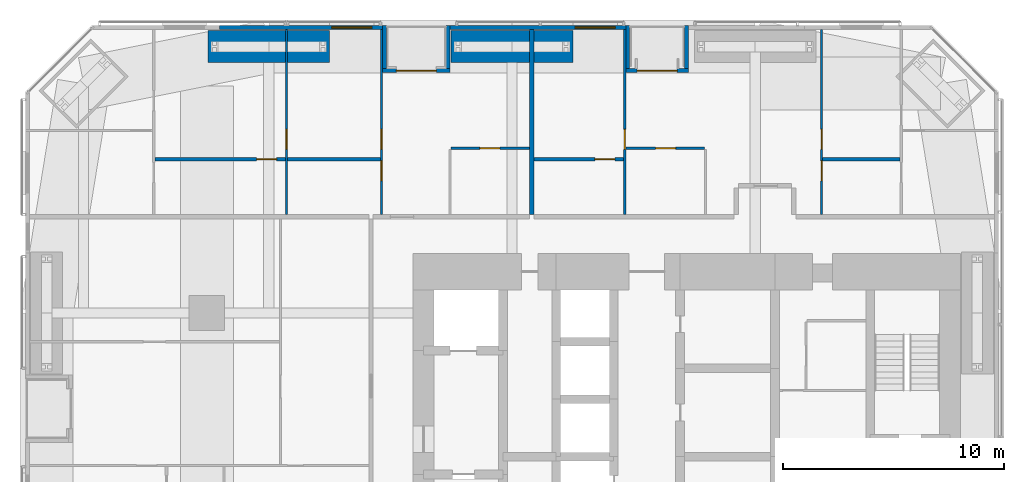
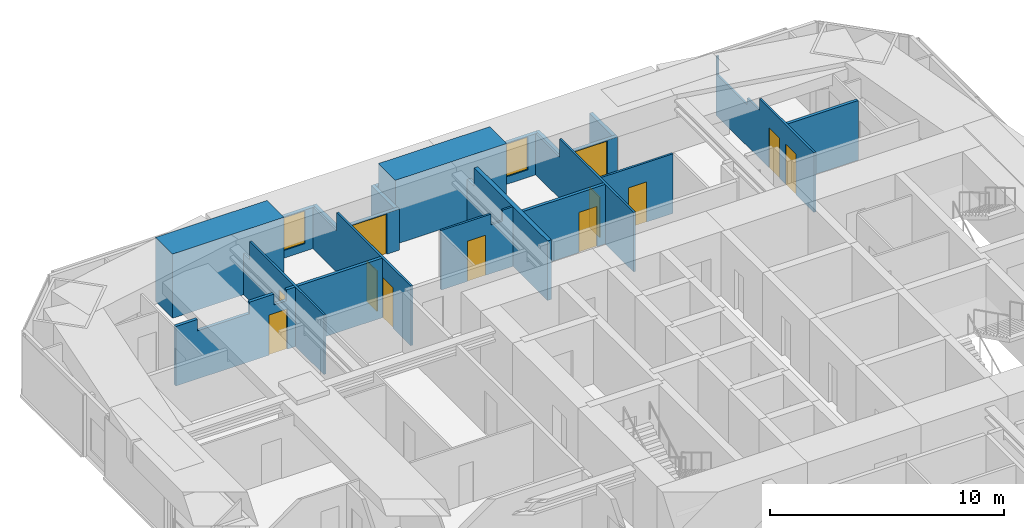
# One storey, part 20 of 22: 21 walls, 12 doors, 2 windows, 14 openings.
"""IFC4 building model written with IfcOpenShell, lengths in metres."""

from ifc_helpers import new_model, si_unit, direction, frame, frame_2d, origin, place, context, subcontext, project, spatial, polyline, rectangle, outline, extrude, material, layer, layer_set, constituent, constituent_set, type_object, element, fill, save


model = new_model("IFC4")

# Units and contexts
model_context = context("Model", 3, precision=1e-05, world=origin(), true_north=direction((0.0, 1.0)))
body_context = subcontext(model_context, "Body", "Model", "MODEL_VIEW")
ifc_project = project(units=[si_unit("LENGTHUNIT", "METRE"), si_unit("AREAUNIT", "SQUARE_METRE"), si_unit("VOLUMEUNIT", "CUBIC_METRE"), si_unit("PLANEANGLEUNIT", "RADIAN"), si_unit("MASSUNIT", "GRAM", prefix="KILO")], contexts=[model_context])

# Site, building, storey
site_placement = place(None, origin())
site = spatial("IfcSite", under=ifc_project, at=site_placement, CompositionType="ELEMENT")
building_placement = place(site_placement, origin())
building = spatial("IfcBuilding", under=site, at=building_placement, Name="Jalousie Tower", CompositionType="ELEMENT")
storey_placement = place(building_placement, frame((0.0, 0.0, 67.89990234375)))
storey = spatial("IfcBuildingStorey", under=building, at=storey_placement, Name="L18", CompositionType="ELEMENT", Elevation=67.89990234375)

# Wall, opening, door
ifc_material_1 = material(Name="Concrete block ASTM C90", Category="concrete")
ifc_constituent_1 = constituent(ifc_material_1, Name="Body")
ifc_material_2 = material(Name="Render")
ifc_constituent_2 = constituent(ifc_material_2, Name="Finish")
ifc_constituent_set_1 = constituent_set(constituents=[ifc_constituent_1, ifc_constituent_2])
wall_type_1 = type_object("IfcWallType", Name="BATHROOM WALL 150", PredefinedType="PLUMBINGWALL", material=ifc_constituent_set_1)
wall_1_placement = place(storey_placement, frame((7.85009765625, 31.949951171875, 0.0), z_axis=(0.0, 0.0, 1.0), x_axis=(1.0, 0.0, 0.0)))
wall_1 = element("IfcWall", 1, at=wall_1_placement, inside=storey, type_object=wall_type_1, Name="Bathroom Wall 150 L18", PredefinedType="PLUMBINGWALL", context=body_context, shape_type="SweptSolid", body=[
    extrude(outline(polyline([(0.0, 0.0), (5.89990234375, 0.0), (5.89990234375, 3.110107421875), (5.46240234375, 3.110107421875), (5.46240234375, 2.541015625), (4.837646484375, 2.541015625), (4.837646484375, 3.110107421875), (3.635009765625, 3.110107421875), (3.635009765625, 2.510009765625), (1.06494140625, 2.510009765625), (1.06494140625, 3.110107421875), (0.0, 3.110107421875), (0.0, 0.0)])), frame((0.0, 0.074951171875, 0.0), z_axis=(0.0, -1.0, 0.0), x_axis=(1.0, 0.0, 0.0)), (0.0, 0.0, 1.0), 0.14990234375),
])
opening_1_placement = place(wall_1_placement, frame((4.60009765625, 0.0, 0.0)))
opening_1 = element("IfcOpeningElement", 2, at=opening_1_placement, cuts=wall_1, Name="Opening D3", PredefinedType="OPENING", context=body_context, shape_type="SweptSolid", body=[
    extrude(rectangle(XDim=0.89990234375, YDim=2.10009765625, at=frame_2d((0.449951171875, 1.050048828125))), frame((0.0, 0.0849609375, 0.0), z_axis=(0.0, -1.0, 0.0), x_axis=(1.0, 0.0, 0.0)), (0.0, 0.0, 1.0), 0.169921875),
])
ifc_material_3 = material(Name="Timber door", Category="wood")
door_type_1 = type_object("IfcDoorType", Name="BATHROOM DOOR 900", OperationType="SINGLE_SWING_LEFT", PredefinedType="DOOR", material=ifc_material_3)
door_1_placement = place(opening_1_placement, frame((0.89990234375, 0.0, 0.0), z_axis=(0.0, 0.0, 1.0), x_axis=(-1.0, 0.0, 0.0)))
door_1 = element("IfcDoor", 3, at=door_1_placement, inside=storey, type_object=door_type_1, Name="Apartment 1803 bedroom 2 bathroom door", OperationType="SINGLE_SWING_LEFT", OverallHeight=2.10009765625, OverallWidth=0.89990234375, PredefinedType="DOOR", context=body_context, shape_type="SweptSolid", body=[
    extrude(rectangle(XDim=0.89990234375, YDim=2.10009765625, at=frame_2d((0.449951171875, 1.050048828125))), frame((0.0, 0.02490234375, 0.0), z_axis=(0.0, -1.0, 0.0), x_axis=(1.0, 0.0, 0.0)), (0.0, 0.0, 1.0), 0.050048828125),
])
fill(opening_1, door_1)

# Wall
wall_2_placement = place(storey_placement, frame((13.85009765625, 31.949951171875, 0.0), z_axis=(0.0, 0.0, 1.0), x_axis=(1.0, 0.0, 0.0)))
element("IfcWall", 4, at=wall_2_placement, inside=storey, type_object=wall_type_1, Name="Bathroom Wall 150 L18", PredefinedType="PLUMBINGWALL", context=body_context, shape_type="SweptSolid", body=[
    extrude(rectangle(XDim=4.199951171875, YDim=0.14990234375, at=frame_2d((2.10009765625, 0.0))), origin(), (0.0, 0.0, 1.0), 3.110107421875),
])

# Wall, opening, door
wall_3_placement = place(storey_placement, frame((25.0, 31.949951171875, 0.0), z_axis=(0.0, 0.0, 1.0), x_axis=(1.0, 0.0, 0.0)))
wall_3 = element("IfcWall", 5, at=wall_3_placement, inside=storey, type_object=wall_type_1, Name="Bathroom Wall 150 L18", PredefinedType="PLUMBINGWALL", context=body_context, shape_type="SweptSolid", body=[
    extrude(rectangle(XDim=4.050048828125, YDim=0.14990234375, at=frame_2d((2.02490234375, 0.0))), origin(), (0.0, 0.0, 1.0), 3.110107421875),
])
opening_2_placement = place(wall_3_placement, frame((2.75, 0.0, 0.0)))
opening_2 = element("IfcOpeningElement", 6, at=opening_2_placement, cuts=wall_3, Name="Opening D3", PredefinedType="OPENING", context=body_context, shape_type="SweptSolid", body=[
    extrude(rectangle(XDim=0.89990234375, YDim=2.10009765625, at=frame_2d((0.449951171875, 1.050048828125))), frame((0.0, 0.0849609375, 0.0), z_axis=(0.0, -1.0, 0.0), x_axis=(1.0, 0.0, 0.0)), (0.0, 0.0, 1.0), 0.169921875),
])
door_2_placement = place(opening_2_placement, frame((0.89990234375, 0.0, 0.0), z_axis=(0.0, 0.0, 1.0), x_axis=(-1.0, 0.0, 0.0)))
door_2 = element("IfcDoor", 7, at=door_2_placement, inside=storey, type_object=door_type_1, Name="Apartment 1804 bedroom 1 bathroom door", OperationType="SINGLE_SWING_LEFT", OverallHeight=2.10009765625, OverallWidth=0.89990234375, PredefinedType="DOOR", context=body_context, shape_type="SweptSolid", body=[
    extrude(rectangle(XDim=0.89990234375, YDim=2.10009765625, at=frame_2d((0.449951171875, 1.050048828125))), frame((0.0, 0.02490234375, 0.0), z_axis=(0.0, -1.0, 0.0), x_axis=(1.0, 0.0, 0.0)), (0.0, 0.0, 1.0), 0.050048828125),
])
fill(opening_2, door_2)

# Wall
wall_4_placement = place(storey_placement, frame((38.050048828125, 31.949951171875, 0.0), z_axis=(0.0, 0.0, 1.0), x_axis=(1.0, 0.0, 0.0)))
element("IfcWall", 8, at=wall_4_placement, inside=storey, type_object=wall_type_1, Name="Bathroom Wall 150 L18", PredefinedType="PLUMBINGWALL", context=body_context, shape_type="SweptSolid", body=[
    extrude(rectangle(XDim=3.5, YDim=0.14990234375, at=frame_2d((1.75, 0.0))), origin(), (0.0, 0.0, 1.0), 3.110107421875),
])

# Wall, opening, window
ifc_material_4 = material(Name="Concrete f'c 40 MPa", Category="concrete")
ifc_constituent_3 = constituent(ifc_material_4, Name="Body")
ifc_material_5 = material(Name="Render, pastel coral")
ifc_constituent_4 = constituent(ifc_material_5, Name="Finish")
ifc_constituent_set_2 = constituent_set(constituents=[ifc_constituent_3, ifc_constituent_4])
wall_type_2 = type_object("IfcWallType", Name="EXTERNAL WALL 175 CORAL RENDER", PredefinedType="SOLIDWALL", material=ifc_constituent_set_2)
wall_5_placement = place(storey_placement, frame((29.14990234375, 37.91259765625, 0.0), z_axis=(0.0, 0.0, 1.0), x_axis=(-1.0, 0.0, 0.0)))
wall_5 = element("IfcWall", 9, at=wall_5_placement, inside=storey, type_object=wall_type_2, Name="External Wall 175 Coral Render L18", PredefinedType="SOLIDWALL", context=body_context, shape_type="SweptSolid", body=[
    extrude(rectangle(XDim=7.949951171875, YDim=0.175048828125, at=frame_2d((3.97509765625, 0.0))), origin(), (0.0, 0.0, 1.0), 2.150146484375),
])
opening_3_placement = place(wall_5_placement, frame((0.489990234375, 0.0, 0.39990234375)))
opening_3 = element("IfcOpeningElement", 10, at=opening_3_placement, cuts=wall_5, Name="Opening W-BED170", PredefinedType="OPENING", context=body_context, shape_type="SweptSolid", body=[
    extrude(rectangle(XDim=1.800048828125, YDim=1.699951171875, at=frame_2d((0.89990234375, 0.85009765625))), frame((0.0, 0.097412109375, 0.0), z_axis=(0.0, -1.0, 0.0), x_axis=(1.0, 0.0, 0.0)), (0.0, 0.0, 1.0), 0.195068359375),
])
ifc_material_6 = material(Name="Aluminium frame, impact-rated glazing", Category="aluminium")
window_type = type_object("IfcWindowType", Name="WINDOW BED 1800x1700", PartitioningType="SINGLE_PANEL", PredefinedType="WINDOW", material=ifc_material_6)
window_1_placement = place(opening_3_placement, origin())
window_1 = element("IfcWindow", 11, at=window_1_placement, inside=storey, type_object=window_type, Name="Apartment 1804 bedroom 1 window", OverallHeight=1.699951171875, OverallWidth=1.800048828125, PartitioningType="SINGLE_PANEL", PredefinedType="WINDOW", context=body_context, shape_type="SweptSolid", body=[
    extrude(rectangle(XDim=1.800048828125, YDim=1.699951171875, at=frame_2d((0.89990234375, 0.85009765625))), frame((0.0, 0.030029296875, 0.0), z_axis=(0.0, -1.0, 0.0), x_axis=(1.0, 0.0, 0.0)), (0.0, 0.0, 1.0), 0.06005859375),
])
fill(opening_3, window_1)

wall_6_placement = place(storey_placement, frame((18.14990234375, 37.91259765625, 0.0), z_axis=(0.0, 0.0, 1.0), x_axis=(-1.0, 0.0, 0.0)))
wall_6 = element("IfcWall", 12, at=wall_6_placement, inside=storey, type_object=wall_type_2, Name="External Wall 175 Coral Render L18-A", PredefinedType="SOLIDWALL", context=body_context, shape_type="SweptSolid", body=[
    extrude(rectangle(XDim=7.384521484375, YDim=0.175048828125, at=frame_2d((3.6923828125, 0.0))), origin(), (0.0, 0.0, 1.0), 2.150146484375),
])
opening_4_placement = place(wall_6_placement, frame((0.492431640625, 0.0, 0.39990234375)))
opening_4 = element("IfcOpeningElement", 13, at=opening_4_placement, cuts=wall_6, Name="Opening W-BED170", PredefinedType="OPENING", context=body_context, shape_type="SweptSolid", body=[
    extrude(rectangle(XDim=1.800048828125, YDim=1.699951171875, at=frame_2d((0.89990234375, 0.85009765625))), frame((0.0, 0.097412109375, 0.0), z_axis=(0.0, -1.0, 0.0), x_axis=(1.0, 0.0, 0.0)), (0.0, 0.0, 1.0), 0.195068359375),
])
window_2_placement = place(opening_4_placement, origin())
window_2 = element("IfcWindow", 14, at=window_2_placement, inside=storey, type_object=window_type, Name="Apartment 1803 bedroom 3 window", OverallHeight=1.699951171875, OverallWidth=1.800048828125, PartitioningType="SINGLE_PANEL", PredefinedType="WINDOW", context=body_context, shape_type="SweptSolid", body=[
    extrude(rectangle(XDim=1.800048828125, YDim=1.699951171875, at=frame_2d((0.89990234375, 0.85009765625))), frame((0.0, 0.030029296875, 0.0), z_axis=(0.0, -1.0, 0.0), x_axis=(1.0, 0.0, 0.0)), (0.0, 0.0, 1.0), 0.06005859375),
])
fill(opening_4, window_2)

# Wall, opening, door
wall_7_placement = place(storey_placement, frame((31.97509765625, 35.96240234375, 0.0), z_axis=(0.0, 0.0, 1.0), x_axis=(-1.0, 0.0, 0.0)))
wall_7 = element("IfcWall", 15, at=wall_7_placement, inside=storey, type_object=wall_type_2, Name="External Wall 175 Coral Render L18", PredefinedType="SOLIDWALL", context=body_context, shape_type="SweptSolid", body=[
    extrude(rectangle(XDim=2.8251953125, YDim=0.175048828125, at=frame_2d((1.41259765625, 0.0))), origin(), (0.0, 0.0, 1.0), 2.150146484375),
])
opening_5_placement = place(wall_7_placement, frame((0.512451171875, 0.0, 0.0)))
opening_5 = element("IfcOpeningElement", 16, at=opening_5_placement, cuts=wall_7, Name="Opening D-BAL21", PredefinedType="OPENING", context=body_context, shape_type="SweptSolid", body=[
    extrude(rectangle(XDim=1.800048828125, YDim=2.10009765625, at=frame_2d((0.89990234375, 1.050048828125))), frame((0.0, 0.097412109375, 0.0), z_axis=(0.0, -1.0, 0.0), x_axis=(1.0, 0.0, 0.0)), (0.0, 0.0, 1.0), 0.195068359375),
])
ifc_material_7 = material(Name="Aluminium frame, impact-rated glazing", Category="aluminium")
door_type_2 = type_object("IfcDoorType", Name="BALCONY DOOR 1800x2100", OperationType="SLIDING_TO_LEFT", PredefinedType="DOOR", material=ifc_material_7)
door_3_placement = place(opening_5_placement, origin())
door_3 = element("IfcDoor", 17, at=door_3_placement, inside=storey, type_object=door_type_2, Name="Apartment 1804 living and dining room loggia door", OperationType="SLIDING_TO_LEFT", OverallHeight=2.10009765625, OverallWidth=1.800048828125, PredefinedType="DOOR", context=body_context, shape_type="SweptSolid", body=[
    extrude(rectangle(XDim=1.800048828125, YDim=2.10009765625, at=frame_2d((0.89990234375, 1.050048828125))), frame((0.0, 0.02490234375, 0.0), z_axis=(0.0, -1.0, 0.0), x_axis=(1.0, 0.0, 0.0)), (0.0, 0.0, 1.0), 0.050048828125),
])
fill(opening_5, door_3)

# Walls
for number, where, z_axis, x_axis, name in (
    (18, (31.887451171875, 38.0, 0.0), (0.0, 0.0, 1.0), (0.0, -1.0, 0.0), "External Wall 175 Coral Render L18"),
    (19, (29.237548828125, 38.0, 0.0), (0.0, 0.0, 1.0), (0.0, -1.0, 0.0), "External Wall 175 Coral Render L18"),
):
    element("IfcWall", number, at=place(storey_placement, frame(where, z_axis=z_axis, x_axis=x_axis)), inside=storey, type_object=wall_type_2, Name=name, PredefinedType="SOLIDWALL", context=body_context, shape_type="SweptSolid", body=[
        extrude(rectangle(XDim=1.949951171875, YDim=0.175048828125, at=frame_2d((0.97509765625, 0.0))), origin(), (0.0, 0.0, 1.0), 2.150146484375),
    ])

# Wall, opening, door
wall_8_placement = place(storey_placement, frame((21.199951171875, 35.96240234375, 0.0), z_axis=(0.0, 0.0, 1.0), x_axis=(-1.0, 0.0, 0.0)))
wall_8 = element("IfcWall", 20, at=wall_8_placement, inside=storey, type_object=wall_type_2, Name="External Wall 175 Coral Render L18", PredefinedType="SOLIDWALL", context=body_context, shape_type="SweptSolid", body=[
    extrude(rectangle(XDim=3.050048828125, YDim=0.175048828125, at=frame_2d((1.52490234375, 0.0))), origin(), (0.0, 0.0, 1.0), 2.150146484375),
])
opening_6_placement = place(wall_8_placement, frame((0.625, 0.0, 0.0)))
opening_6 = element("IfcOpeningElement", 21, at=opening_6_placement, cuts=wall_8, Name="Opening D-BAL21", PredefinedType="OPENING", context=body_context, shape_type="SweptSolid", body=[
    extrude(rectangle(XDim=1.800048828125, YDim=2.10009765625, at=frame_2d((0.89990234375, 1.050048828125))), frame((0.0, 0.097412109375, 0.0), z_axis=(0.0, -1.0, 0.0), x_axis=(1.0, 0.0, 0.0)), (0.0, 0.0, 1.0), 0.195068359375),
])
door_4_placement = place(opening_6_placement, origin())
door_4 = element("IfcDoor", 22, at=door_4_placement, inside=storey, type_object=door_type_2, Name="Apartment 1803 living and dining room loggia door", OperationType="SLIDING_TO_LEFT", OverallHeight=2.10009765625, OverallWidth=1.800048828125, PredefinedType="DOOR", context=body_context, shape_type="SweptSolid", body=[
    extrude(rectangle(XDim=1.800048828125, YDim=2.10009765625, at=frame_2d((0.89990234375, 1.050048828125))), frame((0.0, 0.02490234375, 0.0), z_axis=(0.0, -1.0, 0.0), x_axis=(1.0, 0.0, 0.0)), (0.0, 0.0, 1.0), 0.050048828125),
])
fill(opening_6, door_4)

# Walls
for number, where, z_axis, x_axis, name in (
    (23, (21.112548828125, 38.0, 0.0), (0.0, 0.0, 1.0), (0.0, -1.0, 0.0), "External Wall 175 Coral Render L18"),
    (24, (18.237548828125, 38.0, 0.0), (0.0, 0.0, 1.0), (0.0, -1.0, 0.0), "External Wall 175 Coral Render L18"),
):
    element("IfcWall", number, at=place(storey_placement, frame(where, z_axis=z_axis, x_axis=x_axis)), inside=storey, type_object=wall_type_2, Name=name, PredefinedType="SOLIDWALL", context=body_context, shape_type="SweptSolid", body=[
        extrude(rectangle(XDim=1.949951171875, YDim=0.175048828125, at=frame_2d((0.97509765625, 0.0))), origin(), (0.0, 0.0, 1.0), 2.150146484375),
    ])

# Wall, opening, door
ifc_material_8 = material(Name="Gypsum board", Category="gypsum")
ifc_constituent_5 = constituent(ifc_material_8, Name="Body")
ifc_material_9 = material(Name="Light-gauge steel studs ASTM A653 SS Grade 33", Category="steel")
ifc_constituent_6 = constituent(ifc_material_9, Name="Framing")
ifc_constituent_set_3 = constituent_set(constituents=[ifc_constituent_5, ifc_constituent_6])
wall_type_3 = type_object("IfcWallType", Name="PARTITION 100", PredefinedType="PARTITIONING", material=ifc_constituent_set_3)
wall_9_placement = place(storey_placement, frame((13.800048828125, 37.824951171875, 0.0), z_axis=(0.0, 0.0, 1.0), x_axis=(0.0, -1.0, 0.0)))
wall_9 = element("IfcWall", 25, at=wall_9_placement, inside=storey, type_object=wall_type_3, Name="Partition 100 L18", PredefinedType="PARTITIONING", context=body_context, shape_type="SweptSolid", body=[
    extrude(outline(polyline([(2.034912109375, 2.150146484375), (0.0, 2.150146484375), (0.0, 0.0), (8.375, 0.0), (8.375, 3.110107421875), (2.034912109375, 3.110107421875), (2.034912109375, 2.150146484375)]), holes=[polyline([(1.021240234375, 0.13330078125), (0.52880859375, 0.13330078125), (0.52880859375, 0.923095703125), (1.021240234375, 0.923095703125), (1.021240234375, 0.13330078125)]), polyline([(1.021240234375, 1.22705078125), (0.52880859375, 1.22705078125), (0.52880859375, 2.01708984375), (1.021240234375, 2.01708984375), (1.021240234375, 1.22705078125)])]), frame((0.0, 0.050048828125, 0.0), z_axis=(0.0, -1.0, 0.0), x_axis=(1.0, 0.0, 0.0)), (0.0, 0.0, 1.0), 0.10009765625),
])
opening_7_placement = place(wall_9_placement, frame((4.52490234375, 0.0, 0.0)))
opening_7 = element("IfcOpeningElement", 26, at=opening_7_placement, cuts=wall_9, Name="Opening D2", PredefinedType="OPENING", context=body_context, shape_type="SweptSolid", body=[
    extrude(rectangle(XDim=0.89990234375, YDim=2.10009765625, at=frame_2d((0.449951171875, 1.050048828125))), frame((0.0, 0.06005859375, 0.0), z_axis=(0.0, -1.0, 0.0), x_axis=(1.0, 0.0, 0.0)), (0.0, 0.0, 1.0), 0.1201171875),
])
ifc_material_10 = material(Name="Timber door", Category="wood")
door_type_3 = type_object("IfcDoorType", Name="BEDROOM DOOR 900", OperationType="SINGLE_SWING_LEFT", PredefinedType="DOOR", material=ifc_material_10)
door_5_placement = place(opening_7_placement, frame((0.89990234375, 0.0, 0.0), z_axis=(0.0, 0.0, 1.0), x_axis=(-1.0, 0.0, 0.0)))
door_5 = element("IfcDoor", 27, at=door_5_placement, inside=storey, type_object=door_type_3, Name="Apartment 1803 bedroom 2 door", OperationType="SINGLE_SWING_LEFT", OverallHeight=2.10009765625, OverallWidth=0.89990234375, PredefinedType="DOOR", context=body_context, shape_type="SweptSolid", body=[
    extrude(rectangle(XDim=0.89990234375, YDim=2.10009765625, at=frame_2d((0.449951171875, 1.050048828125))), frame((0.0, 0.02490234375, 0.0), z_axis=(0.0, -1.0, 0.0), x_axis=(1.0, 0.0, 0.0)), (0.0, 0.0, 1.0), 0.050048828125),
])
fill(opening_7, door_5)

# Wall, openings, doors
wall_10_placement = place(storey_placement, frame((18.10009765625, 37.824951171875, 0.0), z_axis=(0.0, 0.0, 1.0), x_axis=(0.0, -1.0, 0.0)))
wall_10 = element("IfcWall", 28, at=wall_10_placement, inside=storey, type_object=wall_type_3, Name="Partition 100 L18", PredefinedType="PARTITIONING", context=body_context, shape_type="SweptSolid", body=[
    extrude(outline(polyline([(0.0, 0.0), (8.375, 0.0), (8.375, 3.110107421875), (2.034912109375, 3.110107421875), (2.034912109375, 2.150146484375), (0.0, 2.150146484375), (0.0, 3.110107421875), (0.0, 0.0)])), frame((0.0, 0.050048828125, 0.0), z_axis=(0.0, -1.0, 0.0), x_axis=(1.0, 0.0, 0.0)), (0.0, 0.0, 1.0), 0.10009765625),
])
opening_8_placement = place(wall_10_placement, frame((4.52490234375, 0.0, 0.0)))
opening_8 = element("IfcOpeningElement", 29, at=opening_8_placement, cuts=wall_10, Name="Opening D2", PredefinedType="OPENING", context=body_context, shape_type="SweptSolid", body=[
    extrude(rectangle(XDim=0.89990234375, YDim=2.10009765625, at=frame_2d((0.449951171875, 1.050048828125))), frame((0.0, 0.06005859375, 0.0), z_axis=(0.0, -1.0, 0.0), x_axis=(1.0, 0.0, 0.0)), (0.0, 0.0, 1.0), 0.1201171875),
])
opening_9_placement = place(wall_10_placement, frame((5.949951171875, 0.0, 0.0)))
opening_9 = element("IfcOpeningElement", 30, at=opening_9_placement, cuts=wall_10, Name="Opening D7", PredefinedType="OPENING", context=body_context, shape_type="SweptSolid", body=[
    extrude(rectangle(XDim=0.89990234375, YDim=2.10009765625, at=frame_2d((0.449951171875, 1.050048828125))), frame((0.0, 0.06005859375, 0.0), z_axis=(0.0, -1.0, 0.0), x_axis=(1.0, 0.0, 0.0)), (0.0, 0.0, 1.0), 0.1201171875),
])
door_6_placement = place(opening_8_placement, frame((0.89990234375, 0.0, 0.0), z_axis=(0.0, 0.0, 1.0), x_axis=(-1.0, 0.0, 0.0)))
door_6 = element("IfcDoor", 31, at=door_6_placement, inside=storey, type_object=door_type_3, Name="Apartment 1803 bedroom 3 door", OperationType="SINGLE_SWING_LEFT", OverallHeight=2.10009765625, OverallWidth=0.89990234375, PredefinedType="DOOR", context=body_context, shape_type="SweptSolid", body=[
    extrude(rectangle(XDim=0.89990234375, YDim=2.10009765625, at=frame_2d((0.449951171875, 1.050048828125))), frame((0.0, 0.02490234375, 0.0), z_axis=(0.0, -1.0, 0.0), x_axis=(1.0, 0.0, 0.0)), (0.0, 0.0, 1.0), 0.050048828125),
])
fill(opening_8, door_6)
ifc_material_11 = material(Name="Timber door", Category="wood")
door_type_4 = type_object("IfcDoorType", Name="INTERNAL DOOR 900", OperationType="SINGLE_SWING_LEFT", PredefinedType="DOOR", material=ifc_material_11)
door_7_placement = place(opening_9_placement, frame((0.89990234375, 0.0, 0.0), z_axis=(0.0, 0.0, 1.0), x_axis=(-1.0, 0.0, 0.0)))
door_7 = element("IfcDoor", 32, at=door_7_placement, inside=storey, type_object=door_type_4, Name="Apartment 1803 bathroom door", OperationType="SINGLE_SWING_RIGHT", OverallHeight=2.10009765625, OverallWidth=0.89990234375, PredefinedType="DOOR", context=body_context, shape_type="SweptSolid", body=[
    extrude(rectangle(XDim=0.89990234375, YDim=2.10009765625, at=frame_2d((0.449951171875, 1.050048828125))), frame((0.0, 0.02490234375, 0.0), z_axis=(0.0, -1.0, 0.0), x_axis=(1.0, 0.0, 0.0)), (0.0, 0.0, 1.0), 0.050048828125),
])
fill(opening_9, door_7)

# Wall, opening, door
wall_11_placement = place(storey_placement, frame((21.25, 32.449951171875, 0.0), z_axis=(0.0, 0.0, 1.0), x_axis=(1.0, 0.0, 0.0)))
wall_11 = element("IfcWall", 33, at=wall_11_placement, inside=storey, type_object=wall_type_3, Name="Partition 100 L18", PredefinedType="PARTITIONING", context=body_context, shape_type="SweptSolid", body=[
    extrude(outline(polyline([(0.0, 0.0), (3.550048828125, 0.0), (3.550048828125, 3.110107421875), (3.037353515625, 3.110107421875), (3.037353515625, 2.541015625), (2.462646484375, 2.541015625), (2.462646484375, 3.110107421875), (0.0, 3.110107421875), (0.0, 0.0)])), frame((0.0, 0.050048828125, 0.0), z_axis=(0.0, -1.0, 0.0), x_axis=(1.0, 0.0, 0.0)), (0.0, 0.0, 1.0), 0.10009765625),
])
opening_10_placement = place(wall_11_placement, frame((1.300048828125, 0.0, 0.0)))
opening_10 = element("IfcOpeningElement", 34, at=opening_10_placement, cuts=wall_11, Name="Opening D7", PredefinedType="OPENING", context=body_context, shape_type="SweptSolid", body=[
    extrude(rectangle(XDim=0.89990234375, YDim=2.10009765625, at=frame_2d((0.449951171875, 1.050048828125))), frame((0.0, 0.06005859375, 0.0), z_axis=(0.0, -1.0, 0.0), x_axis=(1.0, 0.0, 0.0)), (0.0, 0.0, 1.0), 0.1201171875),
])
door_8_placement = place(opening_10_placement, origin())
door_8 = element("IfcDoor", 35, at=door_8_placement, inside=storey, type_object=door_type_4, Name="Apartment 1803 kitchen door", OperationType="SINGLE_SWING_RIGHT", OverallHeight=2.10009765625, OverallWidth=0.89990234375, PredefinedType="DOOR", context=body_context, shape_type="SweptSolid", body=[
    extrude(rectangle(XDim=0.89990234375, YDim=2.10009765625, at=frame_2d((0.449951171875, 1.050048828125))), frame((0.0, 0.02490234375, 0.0), z_axis=(0.0, -1.0, 0.0), x_axis=(1.0, 0.0, 0.0)), (0.0, 0.0, 1.0), 0.050048828125),
])
fill(opening_10, door_8)

wall_12_placement = place(storey_placement, frame((29.10009765625, 37.824951171875, 0.0), z_axis=(0.0, 0.0, 1.0), x_axis=(0.0, -1.0, 0.0)))
wall_12 = element("IfcWall", 36, at=wall_12_placement, inside=storey, type_object=wall_type_3, Name="Partition 100 L18", PredefinedType="PARTITIONING", context=body_context, shape_type="SweptSolid", body=[
    extrude(outline(polyline([(0.0, 0.0), (8.375, 0.0), (8.375, 3.110107421875), (2.034912109375, 3.110107421875), (2.034912109375, 2.150146484375), (0.0, 2.150146484375), (0.0, 3.110107421875), (0.0, 0.0)])), frame((0.0, 0.050048828125, 0.0), z_axis=(0.0, -1.0, 0.0), x_axis=(1.0, 0.0, 0.0)), (0.0, 0.0, 1.0), 0.10009765625),
])
opening_11_placement = place(wall_12_placement, frame((4.52490234375, 0.0, 0.0)))
opening_11 = element("IfcOpeningElement", 37, at=opening_11_placement, cuts=wall_12, Name="Opening D2", PredefinedType="OPENING", context=body_context, shape_type="SweptSolid", body=[
    extrude(rectangle(XDim=0.89990234375, YDim=2.10009765625, at=frame_2d((0.449951171875, 1.050048828125))), frame((0.0, 0.06005859375, 0.0), z_axis=(0.0, -1.0, 0.0), x_axis=(1.0, 0.0, 0.0)), (0.0, 0.0, 1.0), 0.1201171875),
])
door_9_placement = place(opening_11_placement, frame((0.89990234375, 0.0, 0.0), z_axis=(0.0, 0.0, 1.0), x_axis=(-1.0, 0.0, 0.0)))
door_9 = element("IfcDoor", 38, at=door_9_placement, inside=storey, type_object=door_type_3, Name="Apartment 1804 bedroom 1 door", OperationType="SINGLE_SWING_LEFT", OverallHeight=2.10009765625, OverallWidth=0.89990234375, PredefinedType="DOOR", context=body_context, shape_type="SweptSolid", body=[
    extrude(rectangle(XDim=0.89990234375, YDim=2.10009765625, at=frame_2d((0.449951171875, 1.050048828125))), frame((0.0, 0.02490234375, 0.0), z_axis=(0.0, -1.0, 0.0), x_axis=(1.0, 0.0, 0.0)), (0.0, 0.0, 1.0), 0.050048828125),
])
fill(opening_11, door_9)

# Wall, openings, doors
wall_13_placement = place(storey_placement, frame((38.0, 37.824951171875, 0.0), z_axis=(0.0, 0.0, 1.0), x_axis=(0.0, -1.0, 0.0)))
wall_13 = element("IfcWall", 39, at=wall_13_placement, inside=storey, type_object=wall_type_3, Name="Partition 100 L18", PredefinedType="PARTITIONING", context=body_context, shape_type="SweptSolid", body=[
    extrude(outline(polyline([(0.0, 0.0), (8.375, 0.0), (8.375, 3.110107421875), (3.71630859375, 3.110107421875), (3.71630859375, 2.510009765625), (2.662841796875, 2.510009765625), (2.662841796875, 2.150146484375), (0.092529296875, 2.150146484375), (0.092529296875, 3.110107421875), (0.0, 3.110107421875), (0.0, 0.0)])), frame((0.0, 0.050048828125, 0.0), z_axis=(0.0, -1.0, 0.0), x_axis=(1.0, 0.0, 0.0)), (0.0, 0.0, 1.0), 0.10009765625),
])
opening_12_placement = place(wall_13_placement, frame((4.52490234375, 0.0, 0.0)))
opening_12 = element("IfcOpeningElement", 40, at=opening_12_placement, cuts=wall_13, Name="Opening D2", PredefinedType="OPENING", context=body_context, shape_type="SweptSolid", body=[
    extrude(rectangle(XDim=0.89990234375, YDim=2.10009765625, at=frame_2d((0.449951171875, 1.050048828125))), frame((0.0, 0.06005859375, 0.0), z_axis=(0.0, -1.0, 0.0), x_axis=(1.0, 0.0, 0.0)), (0.0, 0.0, 1.0), 0.1201171875),
])
opening_13_placement = place(wall_13_placement, frame((5.949951171875, 0.0, 0.0)))
opening_13 = element("IfcOpeningElement", 41, at=opening_13_placement, cuts=wall_13, Name="Opening D7", PredefinedType="OPENING", context=body_context, shape_type="SweptSolid", body=[
    extrude(rectangle(XDim=0.89990234375, YDim=2.10009765625, at=frame_2d((0.449951171875, 1.050048828125))), frame((0.0, 0.06005859375, 0.0), z_axis=(0.0, -1.0, 0.0), x_axis=(1.0, 0.0, 0.0)), (0.0, 0.0, 1.0), 0.1201171875),
])
door_10_placement = place(opening_12_placement, origin())
door_10 = element("IfcDoor", 42, at=door_10_placement, inside=storey, type_object=door_type_3, Name="Apartment 1804 bedroom 2 door", OperationType="SINGLE_SWING_RIGHT", OverallHeight=2.10009765625, OverallWidth=0.89990234375, PredefinedType="DOOR", context=body_context, shape_type="SweptSolid", body=[
    extrude(rectangle(XDim=0.89990234375, YDim=2.10009765625, at=frame_2d((0.449951171875, 1.050048828125))), frame((0.0, 0.02490234375, 0.0), z_axis=(0.0, -1.0, 0.0), x_axis=(1.0, 0.0, 0.0)), (0.0, 0.0, 1.0), 0.050048828125),
])
fill(opening_12, door_10)
door_11_placement = place(opening_13_placement, origin())
door_11 = element("IfcDoor", 43, at=door_11_placement, inside=storey, type_object=door_type_4, Name="Apartment 1804 bathroom door", OperationType="SINGLE_SWING_LEFT", OverallHeight=2.10009765625, OverallWidth=0.89990234375, PredefinedType="DOOR", context=body_context, shape_type="SweptSolid", body=[
    extrude(rectangle(XDim=0.89990234375, YDim=2.10009765625, at=frame_2d((0.449951171875, 1.050048828125))), frame((0.0, 0.02490234375, 0.0), z_axis=(0.0, -1.0, 0.0), x_axis=(1.0, 0.0, 0.0)), (0.0, 0.0, 1.0), 0.050048828125),
])
fill(opening_13, door_11)

# Wall, opening, door
wall_14_placement = place(storey_placement, frame((29.14990234375, 32.449951171875, 0.0), z_axis=(0.0, 0.0, 1.0), x_axis=(1.0, 0.0, 0.0)))
wall_14 = element("IfcWall", 44, at=wall_14_placement, inside=storey, type_object=wall_type_3, Name="Partition 100 L18", PredefinedType="PARTITIONING", context=body_context, shape_type="SweptSolid", body=[
    extrude(rectangle(XDim=3.550048828125, YDim=0.10009765625, at=frame_2d((1.77490234375, 0.0))), origin(), (0.0, 0.0, 1.0), 3.110107421875),
])
opening_14_placement = place(wall_14_placement, frame((1.35009765625, 0.0, 0.0)))
opening_14 = element("IfcOpeningElement", 45, at=opening_14_placement, cuts=wall_14, Name="Opening D7", PredefinedType="OPENING", context=body_context, shape_type="SweptSolid", body=[
    extrude(rectangle(XDim=0.89990234375, YDim=2.10009765625, at=frame_2d((0.449951171875, 1.050048828125))), frame((0.0, 0.06005859375, 0.0), z_axis=(0.0, -1.0, 0.0), x_axis=(1.0, 0.0, 0.0)), (0.0, 0.0, 1.0), 0.1201171875),
])
door_12_placement = place(opening_14_placement, origin())
door_12 = element("IfcDoor", 46, at=door_12_placement, inside=storey, type_object=door_type_4, Name="Apartment 1804 kitchen door", OperationType="SINGLE_SWING_LEFT", OverallHeight=2.10009765625, OverallWidth=0.89990234375, PredefinedType="DOOR", context=body_context, shape_type="SweptSolid", body=[
    extrude(rectangle(XDim=0.89990234375, YDim=2.10009765625, at=frame_2d((0.449951171875, 1.050048828125))), frame((0.0, 0.02490234375, 0.0), z_axis=(0.0, -1.0, 0.0), x_axis=(1.0, 0.0, 0.0)), (0.0, 0.0, 1.0), 0.050048828125),
])
fill(opening_14, door_12)

# Walls
ifc_material_12 = material(Name="Concrete block ASTM C90", Category="concrete")
ifc_constituent_7 = constituent(ifc_material_12, Name="Body")
ifc_material_13 = material(Name="Render")
ifc_constituent_8 = constituent(ifc_material_13, Name="Finish")
ifc_constituent_set_4 = constituent_set(constituents=[ifc_constituent_7, ifc_constituent_8])
wall_type_4 = type_object("IfcWallType", Name="PARTY WALL 200", PredefinedType="PARTITIONING", material=ifc_constituent_set_4)
wall_15_placement = place(storey_placement, frame((24.89990234375, 37.824951171875, 0.0), z_axis=(0.0, 0.0, 1.0), x_axis=(0.0, -1.0, 0.0)))
element("IfcWall", 47, at=wall_15_placement, inside=storey, type_object=wall_type_4, Name="Party Wall 200 L18", PredefinedType="PARTITIONING", context=body_context, shape_type="SweptSolid", body=[
    extrude(outline(polyline([(0.52880859375, 2.150146484375), (0.0, 2.150146484375), (0.0, 0.0), (0.52880859375, 0.0), (0.52880859375, 0.888916015625), (1.021240234375, 0.888916015625), (1.021240234375, 0.0), (8.375, 0.0), (8.375, 3.110107421875), (2.0849609375, 3.110107421875), (2.0849609375, 2.150146484375), (1.021240234375, 2.150146484375), (1.021240234375, 1.26123046875), (0.52880859375, 1.26123046875), (0.52880859375, 2.150146484375)])), frame((0.0, 0.10009765625, 0.0), z_axis=(0.0, -1.0, 0.0), x_axis=(1.0, 0.0, 0.0)), (0.0, 0.0, 1.0), 0.199951171875),
])
ifc_material_14 = material(Name="Concrete f'c 120 MPa", Category="concrete")
ifc_layer = layer(ifc_material_14, 1.449951171875)
ifc_layer_set = layer_set([ifc_layer], Name="Concrete f'c 120 MPa")
wall_type_5 = type_object("IfcWallType", Name="RC WALL PIER 1450", PredefinedType="SHEAR", material=ifc_layer_set)
for number, where, z_axis, x_axis, name in (
    (48, (21.25, 37.050048828125, 0.0), (0.0, 0.0, 1.0), (1.0, 0.0, 0.0), "Wall pier 10 L18"),
    (49, (10.25, 37.050048828125, 0.0), (0.0, 0.0, 1.0), (1.0, 0.0, 0.0), "Wall pier 11 L18"),
):
    element("IfcWall", number, at=place(storey_placement, frame(where, z_axis=z_axis, x_axis=x_axis)), inside=storey, type_object=wall_type_5, Name=name, PredefinedType="SHEAR", context=body_context, shape_type="SweptSolid", body=[
        extrude(rectangle(XDim=5.5, YDim=1.449951171875, at=frame_2d((2.75, 0.0))), origin(), (0.0, 0.0, 1.0), 3.35009765625),
    ])

save(model, "model.ifc")
